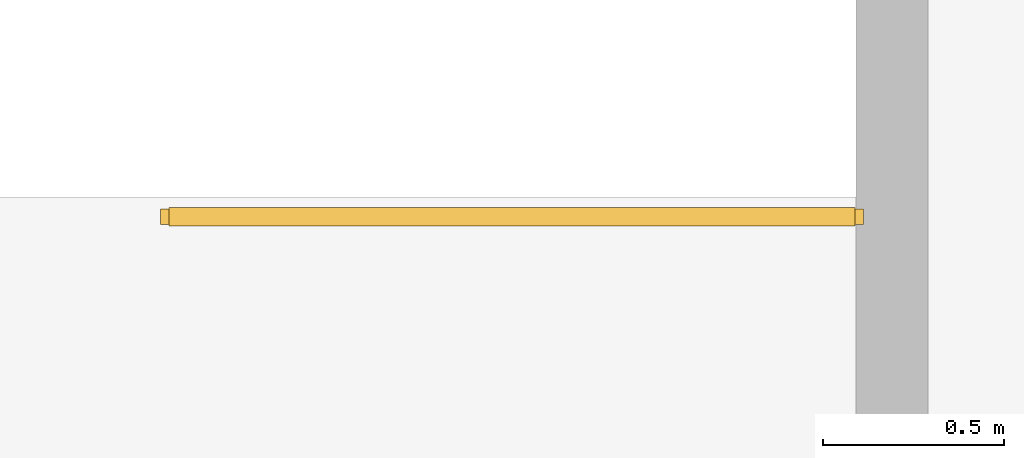
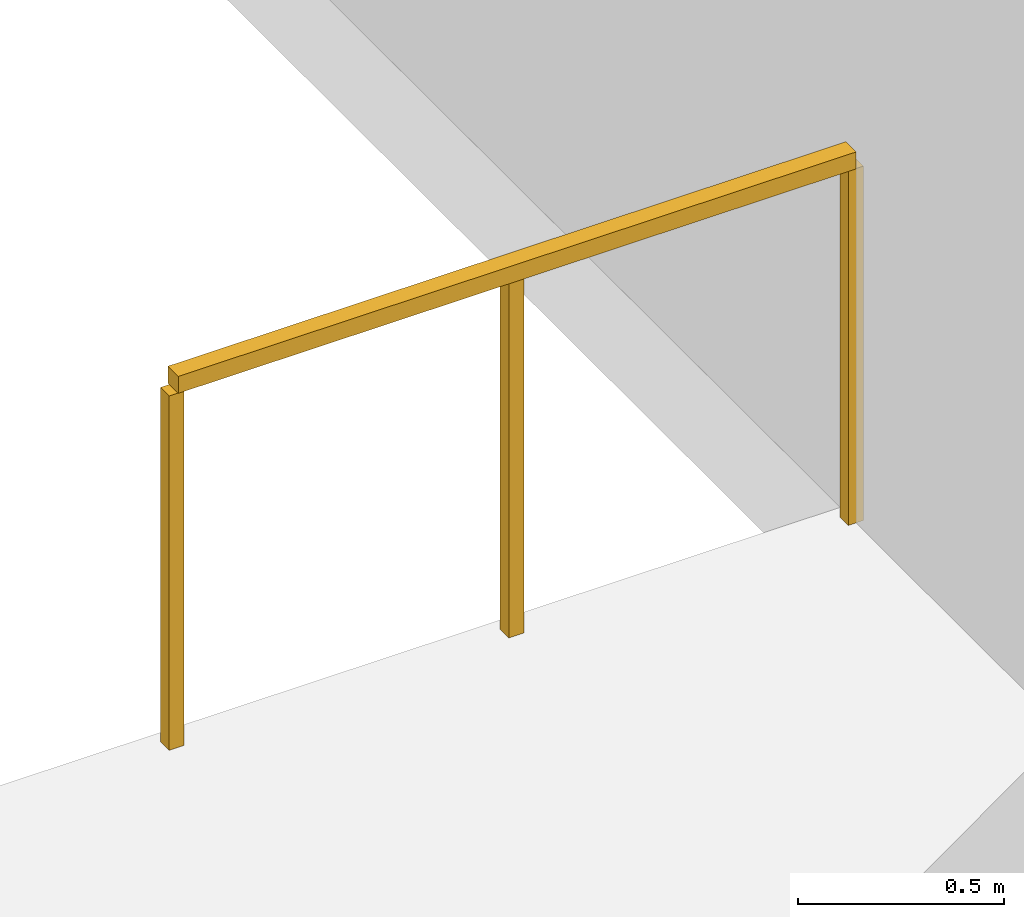
# One storey, part 21 of 21: 1 railing.
"""IFC4 building model written with IfcOpenShell, lengths in metres."""

import ifcopenshell
import ifcopenshell.guid

model = None  # the IFC model being written
_history = None  # IfcOwnerHistory: only IFC2X3 demands one
_inside = {}  # id of a spatial element -> (the spatial element, [elements in it])
_under = {}  # id of a project, library or spatial element -> (it, [spatial elements below it])
_declared = {}  # id of a project -> (the project, [libraries it declares])
_typed = {}  # id of a type object -> (the type object, [elements of that type])
_made_of = {}  # id of a material, layer set ... -> (it, [elements and type objects made of it])


def new_model(schema):
    """Start an empty IFC model of exactly this schema.

    Asked for "IFC4X3", IfcOpenShell would pick the latest addendum, in which some entities
    have other attributes; the version numbers below select the first issue.
    IFC2X3 requires an IfcOwnerHistory on every rooted entity: one is made here for all.
    """
    global model, _history
    if schema == "IFC4X3":
        model = ifcopenshell.file(schema_version=(4, 3, 0, 0))
    else:
        model = ifcopenshell.file(schema=schema)
    _inside.clear()
    _under.clear()
    _declared.clear()
    _typed.clear()
    _made_of.clear()
    _history = None
    if model.schema == "IFC2X3":
        org = make("IfcOrganization", Name="unknown")
        user = make(
            "IfcPersonAndOrganization",
            ThePerson=make("IfcPerson", FamilyName="unknown"),
            TheOrganization=org,
        )
        app = make(
            "IfcApplication",
            ApplicationDeveloper=org,
            Version="unknown",
            ApplicationFullName="unknown",
            ApplicationIdentifier="unknown",
        )
        _history = make(
            "IfcOwnerHistory",
            OwningUser=user,
            OwningApplication=app,
            ChangeAction="ADDED",
            CreationDate=0,
        )
    return model


def make(cls, **values):
    """One entity of the class cls with the attributes given. An attribute that is None is left unset."""
    return model.create_entity(
        cls, **{name: value for name, value in values.items() if value is not None}
    )


def rooted(cls, **values):
    """An entity with a GlobalId (a new one), such as an element, a storey or a relation."""
    return make(cls, GlobalId=ifcopenshell.guid.new(), OwnerHistory=_history, **values)


def si_unit(unit_type, name, prefix=None):
    """IfcSIUnit, for example si_unit("LENGTHUNIT", "METRE", prefix="MILLI")."""
    return make("IfcSIUnit", UnitType=unit_type, Prefix=prefix, Name=name)


def derived_unit(unit_type, elements):
    """IfcDerivedUnit: a product of units, each with its exponent."""
    return make(
        "IfcDerivedUnit",
        Elements=[
            make("IfcDerivedUnitElement", Unit=unit, Exponent=power)
            for unit, power in elements
        ],
        UnitType=unit_type,
    )


def assignment(units):
    """IfcUnitAssignment: the units of a project."""
    return None if units is None else make("IfcUnitAssignment", Units=units)


def point(xyz):
    """IfcCartesianPoint."""
    return None if xyz is None else make("IfcCartesianPoint", Coordinates=xyz)


def direction(xyz):
    """IfcDirection."""
    return None if xyz is None else make("IfcDirection", DirectionRatios=xyz)


def frame(location, z_axis=None, x_axis=None):
    """IfcAxis2Placement3D, a coordinate frame: its origin and axes. An axis left out is left unset."""
    return make(
        "IfcAxis2Placement3D",
        Location=point(location),
        Axis=direction(z_axis),
        RefDirection=direction(x_axis),
    )


def frame_2d(location, x_axis=None):
    """IfcAxis2Placement2D, a coordinate frame in the plane: its origin and x axis."""
    return make(
        "IfcAxis2Placement2D", Location=point(location), RefDirection=direction(x_axis)
    )


def origin():
    """The frame at (0, 0, 0) with its axes left unset."""
    return frame((0.0, 0.0, 0.0))


def origin_2d():
    """The frame at (0, 0) in the plane with its x axis left unset."""
    return frame_2d((0.0, 0.0))


def place(relative_to, where):
    """IfcLocalPlacement: puts the frame where relative to a parent placement (None: the world)."""
    return make(
        "IfcLocalPlacement", PlacementRelTo=relative_to, RelativePlacement=where
    )


def context(
    kind, dimensions, precision=None, world=None, true_north=None, identifier=None
):
    """IfcGeometricRepresentationContext, for example the 3D "Model" context."""
    return make(
        "IfcGeometricRepresentationContext",
        ContextIdentifier=identifier,
        ContextType=kind,
        CoordinateSpaceDimension=dimensions,
        Precision=precision,
        WorldCoordinateSystem=world,
        TrueNorth=true_north,
    )


def subcontext(parent, identifier, kind, view, scale=None):
    """IfcGeometricRepresentationSubContext, for example "Body" below "Model"."""
    return make(
        "IfcGeometricRepresentationSubContext",
        ContextIdentifier=identifier,
        ContextType=kind,
        ParentContext=parent,
        TargetScale=scale,
        TargetView=view,
    )


def project(units=None, contexts=None):
    """IfcProject with its units and contexts."""
    return rooted(
        "IfcProject",
        Name="project",
        RepresentationContexts=contexts,
        UnitsInContext=assignment(units),
    )


def spatial(cls, under=None, at=None, **own):
    """A site, building, storey or space (cls), placed at a placement, below another one or the project."""
    s = rooted(cls, ObjectPlacement=at, **own)
    if under is not None:
        _under.setdefault(under.id(), (under, []))[1].append(s)
    return s


def profile(cls, at=None, kind="AREA", **sizes):
    """A parametric profile (cls). Its sizes go by their IFC names, for example OverallWidth=200.0."""
    return make(cls, ProfileType=kind, Position=at, **sizes)


def rectangle(**sizes):
    """IfcRectangleProfileDef."""
    return profile("IfcRectangleProfileDef", **sizes)


def extrude(swept, where, along, depth):
    """IfcExtrudedAreaSolid: the profile swept, set in the frame where, extruded along a direction by depth."""
    return make(
        "IfcExtrudedAreaSolid",
        SweptArea=swept,
        Position=where,
        ExtrudedDirection=direction(along),
        Depth=depth,
    )


def shape(context_of_items, identifier, shape_type, items):
    """IfcShapeRepresentation: the items that make up one representation, for example the "Body"."""
    return make(
        "IfcShapeRepresentation",
        ContextOfItems=context_of_items,
        RepresentationIdentifier=identifier,
        RepresentationType=shape_type,
        Items=items,
    )


def material(Name=None, Category=None):
    """IfcMaterial."""
    return make("IfcMaterial", Name=Name, Category=Category)


def made_of(thing, what):
    """Note that an element or type object is made of a material, layer set ...; save() writes the relation."""
    if what is not None:
        _made_of.setdefault(what.id(), (what, []))[1].append(thing)
    return thing


def type_object(cls, material=None, **own):
    """A type object (cls), such as IfcWallType, which elements share."""
    return made_of(rooted(cls, **own), material)


def element(
    cls,
    number,
    at=None,
    inside=None,
    cuts=None,
    type_object=None,
    material=None,
    context=None,
    identifier="Body",
    shape_type=None,
    held_by="IfcProductDefinitionShape",
    body=None,
    shapes=None,
    **own,
):
    """One element of the class cls, such as IfcWall. Its Tag is "e" and its number.

    at: its placement. inside: the storey or other place that contains it. cuts: it is an
    opening in that element (IfcRelVoidsElement). A single representation is given by context,
    identifier, shape_type and body (its items); several are given by shapes. held_by: the class
    of the entity that holds the representations. save() writes the other relations.
    """
    e = rooted(cls, Tag="e%d" % number, ObjectPlacement=at, **own)
    if body is not None:
        shapes = [shape(context, identifier, shape_type, body)]
    if shapes is not None:
        e.Representation = make(held_by, Representations=shapes)
    if inside is not None:
        _inside.setdefault(inside.id(), (inside, []))[1].append(e)
    if cuts is not None:
        rooted(
            "IfcRelVoidsElement", RelatingBuildingElement=cuts, RelatedOpeningElement=e
        )
    if type_object is not None:
        _typed.setdefault(type_object.id(), (type_object, []))[1].append(e)
    return made_of(e, material)


def aggregate(whole, parts):
    """IfcRelAggregates: a whole, such as a stair, and the parts it consists of."""
    return rooted("IfcRelAggregates", RelatingObject=whole, RelatedObjects=parts)


def save(model, path):
    """Write the relations noted so far, then the file.

    IfcRelAggregates (storeys below a building ...), IfcRelContainedInSpatialStructure (elements
    in a storey), IfcRelDefinesByType, IfcRelAssociatesMaterial and IfcRelDeclares: one each for
    every whole, place, type object, material and project.
    """
    for whole, parts in _under.values():
        aggregate(whole, parts)
    for where, things in _inside.values():
        rooted(
            "IfcRelContainedInSpatialStructure",
            RelatedElements=things,
            RelatingStructure=where,
        )
    for kind, things in _typed.values():
        rooted("IfcRelDefinesByType", RelatedObjects=things, RelatingType=kind)
    for what, things in _made_of.values():
        rooted("IfcRelAssociatesMaterial", RelatedObjects=things, RelatingMaterial=what)
    for by, libraries in _declared.values():
        rooted("IfcRelDeclares", RelatingContext=by, RelatedDefinitions=libraries)
    model.write(path)


model = new_model("IFC4")

# Units and contexts
model_context = context("Model", 3, precision=1e-05, world=origin(), true_north=direction((0.0, 1.0)))
body_context = subcontext(model_context, "Body", "Model", "MODEL_VIEW")
ifc_project = project(units=[si_unit("LENGTHUNIT", "METRE"), si_unit("AREAUNIT", "SQUARE_METRE"), si_unit("VOLUMEUNIT", "CUBIC_METRE"), si_unit("PLANEANGLEUNIT", "RADIAN"), si_unit("MASSUNIT", "GRAM", prefix="KILO"), derived_unit("THERMALTRANSMITTANCEUNIT", [(si_unit("POWERUNIT", "WATT"), 1), (si_unit("LENGTHUNIT", "METRE"), -2), (si_unit("THERMODYNAMICTEMPERATUREUNIT", "KELVIN"), -1)])], contexts=[model_context])

# Site, building, storey
site_placement = place(None, origin())
site = spatial("IfcSite", under=ifc_project, at=site_placement, CompositionType="ELEMENT")
building_placement = place(site_placement, origin())
building = spatial("IfcBuilding", under=site, at=building_placement, Name="Koralith Skygarden Medical Center", CompositionType="ELEMENT")
storey_placement = place(building_placement, frame((0.0, 0.0, 18.89990234375)))
storey = spatial("IfcBuildingStorey", under=building, at=storey_placement, Name="L04", CompositionType="ELEMENT", Elevation=18.89990234375)

# Railing
ifc_material = material(Name="Steel ASTM A500 Grade C", Category="steel")
railing_type = type_object("IfcRailingType", Name="Stair Well Safety Guardrail 1100", PredefinedType="GUARDRAIL", material=ifc_material)
railing_placement = place(storey_placement, frame((68.699951171875, 23.14990234375, 0.0)))
element("IfcRailing", 1, at=railing_placement, inside=storey, type_object=railing_type, Name="L04 ST5 top well guard 1", PredefinedType="GUARDRAIL", context=body_context, shape_type="SweptSolid", body=[
    extrude(rectangle(XDim=0.050048828125, YDim=0.050048828125, at=origin_2d()), frame((-0.001953125, 0.0, 1.0751953125), z_axis=(-1.0, 0.0, 0.0), x_axis=(0.0, -1.0, 0.0)), (0.0, 0.0, 1.0), 1.89599609375),
    extrude(rectangle(XDim=0.0419921875, YDim=0.0419921875, at=origin_2d()), origin(), (0.0, 0.0, 1.0), 1.048095703125),
    extrude(rectangle(XDim=0.0419921875, YDim=0.0419921875, at=origin_2d()), frame((-0.949951171875, 0.0, 0.0)), (0.0, 0.0, 1.0), 1.048095703125),
    extrude(rectangle(XDim=0.0419921875, YDim=0.0419921875, at=origin_2d()), frame((-1.89990234375, 0.0, 0.0)), (0.0, 0.0, 1.0), 1.048095703125),
])

save(model, "model.ifc")
